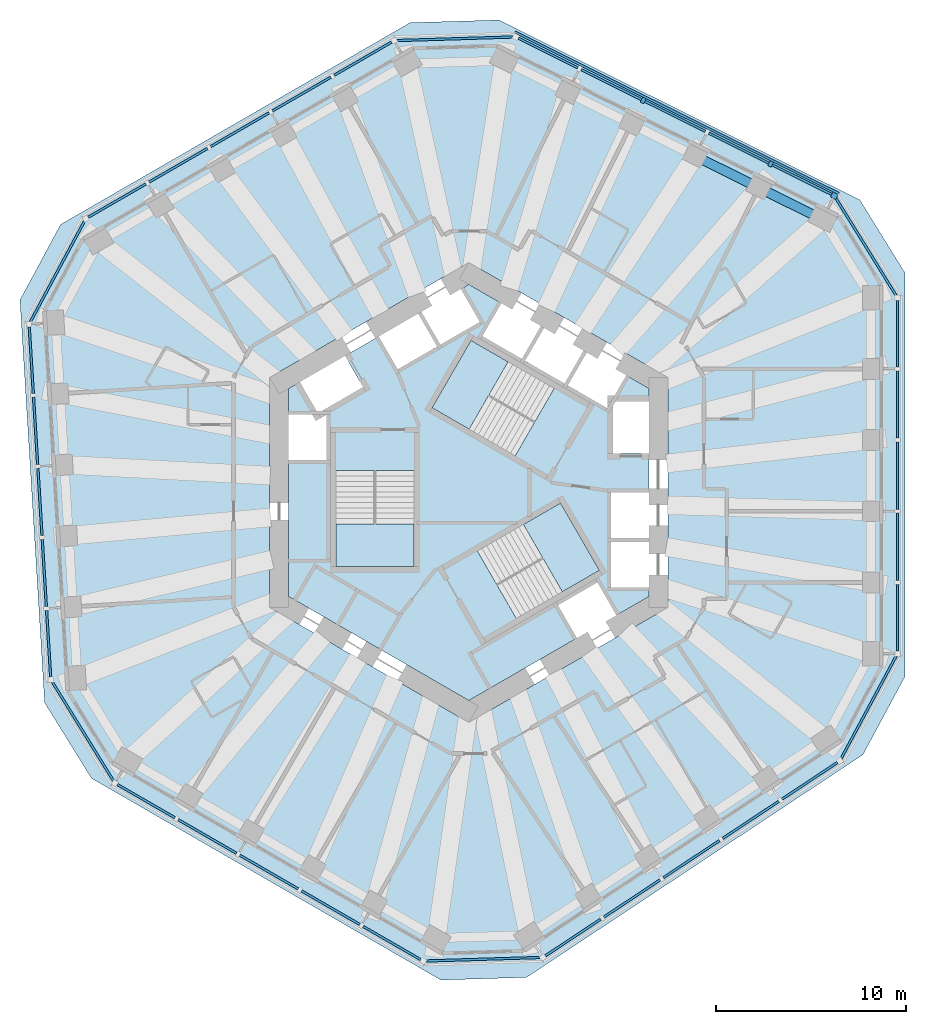
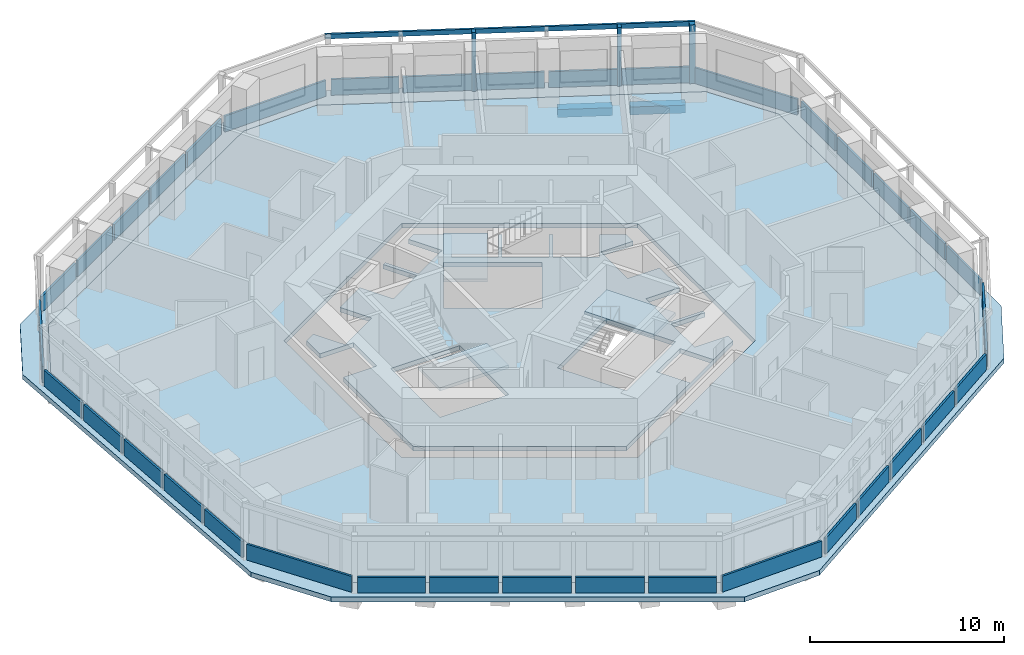
# One storey, part 3 of 12: 36 plates, 6 slabs, 4 members, 2 beams, 15 elements without a shape of their own.
"""IFC4 building model written with IfcOpenShell, lengths in metres."""

from ifc_helpers import new_model, si_unit, direction, frame, origin, origin_2d, place, context, subcontext, project, spatial, polyline, rectangle, outline, extrude, material, layer, layer_set, material_profile, profile_set, type_object, element, aggregate, save


model = new_model("IFC4")

# Units and contexts
model_context = context("Model", 3, precision=1e-05, world=origin(), true_north=direction((0.0, 1.0)))
body_context = subcontext(model_context, "Body", "Model", "MODEL_VIEW")
ifc_project = project(units=[si_unit("LENGTHUNIT", "METRE"), si_unit("AREAUNIT", "SQUARE_METRE"), si_unit("VOLUMEUNIT", "CUBIC_METRE"), si_unit("PLANEANGLEUNIT", "RADIAN"), si_unit("MASSUNIT", "GRAM", prefix="KILO")], contexts=[model_context])

# Site, building, storey
site_placement = place(None, origin())
site = spatial("IfcSite", under=ifc_project, at=site_placement, CompositionType="ELEMENT")
building_placement = place(site_placement, origin())
building = spatial("IfcBuilding", under=site, at=building_placement, Name="Vanh Sen Convention Tower", CompositionType="ELEMENT")
storey_placement = place(building_placement, frame((0.0, 0.0, 124.39990234375)))
storey = spatial("IfcBuildingStorey", under=building, at=storey_placement, Name="L30", CompositionType="ELEMENT", Elevation=124.39990234375)

# Curtain wall, members
ifc_material_1 = material(Name="Concrete C50/60", Category="concrete")
curtain_wall_type = type_object("IfcCurtainWallType", Name="Outer skin office zone", PredefinedType="NOTDEFINED", material=ifc_material_1)
curtain_wall_1_placement = place(storey_placement, origin())
curtain_wall_1 = element("IfcCurtainWall", 1, at=curtain_wall_1_placement, inside=storey, type_object=curtain_wall_type, Name="OUTER SKIN NE L30", PredefinedType="NOTDEFINED")
ifc_material_profile_1 = material_profile(ifc_material_1, rectangle(XDim=0.300048828125, YDim=0.300048828125, at=origin_2d()), Name="Outer skin precast corner fin 300 x 300")
ifc_profile_set_1 = profile_set([ifc_material_profile_1], Name="Concrete C50/60")
member_type_1 = type_object("IfcMemberType", Name="Outer skin precast corner fin 300 x 300", PredefinedType="MULLION", material=ifc_profile_set_1)
member_1_placement = place(storey_placement, frame((19.274658203125, 15.643310546875, 0.0), z_axis=(0.0, 0.0, 1.0), x_axis=(-0.894934361602, 0.44619781311, 0.0)))
member_1 = element("IfcMember", 2, at=member_1_placement, type_object=member_type_1, Name="OUTER SKIN CORNER FIN 1 NE L30", PredefinedType="MULLION", context=body_context, shape_type="SweptSolid", body=[
    extrude(rectangle(XDim=0.300048828125, YDim=0.300048828125, at=origin_2d()), origin(), (0.0, 0.0, 1.0), 3.7001953125),
])
ifc_material_profile_2 = material_profile(ifc_material_1, rectangle(XDim=0.199951171875, YDim=0.300048828125, at=origin_2d()), Name="Outer skin precast fin 200 x 300")
ifc_profile_set_2 = profile_set([ifc_material_profile_2], Name="Concrete C50/60")
member_type_2 = type_object("IfcMemberType", Name="Outer skin precast fin 200 x 300", PredefinedType="MULLION", material=ifc_profile_set_2)
member_2_placement = place(storey_placement, frame((15.9150390625, 17.318359375, 0.0), z_axis=(0.0, 0.0, 1.0), x_axis=(-0.894934361602, 0.44619781311, 0.0)))
member_2 = element("IfcMember", 3, at=member_2_placement, type_object=member_type_2, Name="OUTER SKIN fin 2 NE L30", PredefinedType="MULLION", context=body_context, shape_type="SweptSolid", body=[
    extrude(rectangle(XDim=0.199951171875, YDim=0.300048828125, at=origin_2d()), origin(), (0.0, 0.0, 1.0), 3.7001953125),
])
member_3_placement = place(storey_placement, frame((9.195556640625, 20.66845703125, 0.0), z_axis=(0.0, 0.0, 1.0), x_axis=(-0.894934361602, 0.44619781311, 0.0)))
member_3 = element("IfcMember", 4, at=member_3_placement, type_object=member_type_2, Name="OUTER SKIN fin 4 NE L30", PredefinedType="MULLION", context=body_context, shape_type="SweptSolid", body=[
    extrude(rectangle(XDim=0.199951171875, YDim=0.300048828125, at=origin_2d()), origin(), (0.0, 0.0, 1.0), 3.7001953125),
])
ifc_material_profile_3 = material_profile(ifc_material_1, rectangle(XDim=0.1201171875, YDim=0.300048828125, at=origin_2d()), Name="Outer skin precast spandrel band 300 x 120")
ifc_profile_set_3 = profile_set([ifc_material_profile_3], Name="Concrete C50/60")
member_type_3 = type_object("IfcMemberType", Name="Outer skin precast spandrel band 300 x 120", PredefinedType="USERDEFINED", material=ifc_profile_set_3)
member_4_placement = place(storey_placement, frame((19.502685546875, 15.764404296875, 3.550048828125), z_axis=(-0.894941234474, 0.446184027996, 0.0), x_axis=(-0.446184027996, -0.894941234474, 0.0)))
member_4 = element("IfcMember", 5, at=member_4_placement, type_object=member_type_3, Name="OUTER SKIN spandrel band NE L30", ObjectType="TRANSOM", PredefinedType="USERDEFINED", context=body_context, shape_type="SweptSolid", body=[
    extrude(rectangle(XDim=0.1201171875, YDim=0.300048828125, at=origin_2d()), origin(), (0.0, 0.0, 1.0), 19.07080078125),
])

# Beams
ifc_material_2 = material(Name="Concrete C50/60", Category="concrete")
ifc_material_profile_4 = material_profile(ifc_material_2, rectangle(XDim=0.5, YDim=0.5, at=origin_2d()), Name="RC 500X500")
ifc_profile_set_4 = profile_set([ifc_material_profile_4], Name="Concrete C50/60")
beam_type = type_object("IfcBeamType", Name="Spandrel beam 500 x 500", PredefinedType="SPANDREL", material=ifc_profile_set_4)
beam_1_placement = place(storey_placement, frame((18.26220703125, 14.583740234375, -0.52978515625), z_axis=(-0.894919342285, 0.44622793593, 0.0), x_axis=(-0.44622793593, -0.894919342285, 0.0)))
element("IfcBeam", 6, at=beam_1_placement, inside=storey, type_object=beam_type, Name="Spandrel beam 07 L30", PredefinedType="SPANDREL", context=body_context, shape_type="SweptSolid", body=[
    extrude(rectangle(XDim=0.5, YDim=0.5, at=origin_2d()), origin(), (0.0, 0.0, 1.0), 2.8740234375),
])
beam_2_placement = place(storey_placement, frame((14.890380859375, 16.2646484375, -0.52978515625), z_axis=(-0.894908453111, 0.446249773725, 0.0), x_axis=(-0.446249773725, -0.894908453111, 0.0)))
element("IfcBeam", 7, at=beam_2_placement, inside=storey, type_object=beam_type, Name="Spandrel beam 08 L30", PredefinedType="SPANDREL", context=body_context, shape_type="SweptSolid", body=[
    extrude(rectangle(XDim=0.5, YDim=0.5, at=origin_2d()), origin(), (0.0, 0.0, 1.0), 2.837890625),
])

# Slabs
ifc_material_3 = material(Name="Concrete C40/50", Category="concrete")
ifc_layer_1 = layer(ifc_material_3, 0.280029296875)
ifc_layer_set_1 = layer_set([ifc_layer_1], Name="Concrete C40/50")
slab_type_1 = type_object("IfcSlabType", Name="Core slab 280", PredefinedType="FLOOR", material=ifc_layer_set_1)
slab_1_placement = place(storey_placement, frame((0.0, 0.0, -0.27978515625)))
element("IfcSlab", 8, at=slab_1_placement, inside=storey, type_object=slab_type_1, Name="Core slab L30", PredefinedType="FLOOR", context=body_context, shape_type="SweptSolid", body=[
    extrude(outline(polyline([(9.5, 5.48486328125), (9.5, 4.800048828125), (7.60009765625, 4.800048828125), (7.60009765625, 2.050048828125), (9.5, 2.050048828125), (9.5, 0.0), (7.5, 0.0), (7.5, -2.39990234375), (9.5, -2.39990234375), (9.5, -2.60009765625), (7.5, -2.60009765625), (7.5, -5.0), (9.5, -5.0), (9.5, -5.48486328125), (0.0, -10.9697265625), (-9.5, -5.48486328125), (-9.5, 1.699951171875), (-7.5, 1.699951171875), (-7.5, 4.10009765625), (-9.5, 4.10009765625), (-9.5, 5.48486328125), (-8.906982421875, 5.8271484375), (-7.956787109375, 4.181884765625), (-5.575439453125, 5.556884765625), (-6.525390625, 7.2021484375), (-4.75, 8.227294921875), (-3.75, 6.4951171875), (-1.67138671875, 7.6953125), (-2.67138671875, 9.42724609375), (-2.498291015625, 9.527099609375), (-1.498291015625, 7.795166015625), (0.580078125, 8.9951171875), (-0.419921875, 10.727294921875), (0.0, 10.9697265625), (1.718994140625, 9.977294921875), (0.718994140625, 8.2451171875), (2.79736328125, 7.045166015625), (3.79736328125, 8.777099609375), (3.970703125, 8.67724609375), (2.970703125, 6.9453125), (5.049072265625, 5.7451171875), (6.049072265625, 7.477294921875), (6.22216796875, 7.377197265625), (5.22216796875, 5.645263671875), (7.30078125, 4.4453125), (8.30078125, 6.17724609375), (9.5, 5.48486328125)]), holes=[polyline([(-7.0, 3.14990234375), (-7.0, -3.909912109375), (-2.89990234375, -3.909912109375), (-2.89990234375, 3.14990234375), (-2.89990234375, 1.1494140625), (-7.0, 1.1494140625), (-7.0, 3.14990234375)]), polyline([(4.495361328125, 5.487548828125), (6.22802734375, 4.4873046875), (0.11376953125, 8.01708984375), (-1.936279296875, 4.466552734375), (2.4453125, 1.936767578125), (4.495361328125, 5.487548828125)]), polyline([(7.781005859375, -6.477294921875), (6.781005859375, -4.7451171875), (4.70263671875, -5.9453125), (5.70263671875, -7.67724609375), (7.781005859375, -6.477294921875)]), polyline([(0.45458984375, -3.086181640625), (2.504638671875, -6.63671875), (6.88623046875, -4.107177734375), (4.836181640625, -0.556396484375), (-1.278076171875, -4.08642578125), (0.45458984375, -3.086181640625)])]), origin(), (0.0, 0.0, 1.0), 0.27978515625),
])
ifc_layer_2 = layer(ifc_material_3, 0.280029296875)
ifc_layer_set_2 = layer_set([ifc_layer_2], Name="Concrete C40/50")
slab_type_2 = type_object("IfcSlabType", Name="Floor slab 280 REI 120", PredefinedType="FLOOR", material=ifc_layer_set_2)
slab_2_placement = place(storey_placement, frame((0.0, 0.0, -0.27978515625)))
element("IfcSlab", 9, at=slab_2_placement, inside=storey, type_object=slab_type_2, Name="Floor slab L30 tower", PredefinedType="FLOOR", context=body_context, shape_type="SweptSolid", body=[
    extrude(outline(polyline([(21.699951171875, -9.15087890625), (21.699951171875, 10.91943359375), (19.454833984375, 14.5478515625), (1.492919921875, 23.503173828125), (-2.925048828125, 23.368408203125), (-20.306640625, 13.3330078125), (-22.326171875, 9.574462890625), (-21.100830078125, -10.458740234375), (-18.77490234375, -14.21728515625), (-1.393310546875, -24.25244140625), (2.871337890625, -24.122314453125), (19.60791015625, -13.04443359375), (21.699951171875, -9.15087890625)]), holes=[polyline([(0.0, 12.12451171875), (-10.5, 6.062255859375), (-10.5, -6.062255859375), (0.0, -12.12451171875), (10.5, -6.062255859375), (10.5, 6.062255859375), (0.0, 12.12451171875)])]), origin(), (0.0, 0.0, 1.0), 0.27978515625),
])

# Curtain wall, plates
curtain_wall_2_placement = place(storey_placement, origin())
curtain_wall_2 = element("IfcCurtainWall", 10, at=curtain_wall_2_placement, inside=storey, type_object=curtain_wall_type, Name="OUTER SKIN E L30", PredefinedType="NOTDEFINED")
ifc_layer_3 = layer(ifc_material_1, 0.1201171875)
ifc_layer_set_3 = layer_set([ifc_layer_3], Name="Concrete C50/60")
plate_type = type_object("IfcPlateType", Name="Outer skin precast screen panel 120", PredefinedType="CURTAIN_PANEL", material=ifc_layer_set_3)
plate_1_placement = place(storey_placement, frame((22.60009765625, -6.59912109375, 0.0), z_axis=(0.0, 0.0, 1.0), x_axis=(0.0, 1.0, 0.0)))
plate_1 = element("IfcPlate", 11, at=plate_1_placement, type_object=plate_type, Name="OUTER SKIN screen panel E-1", PredefinedType="CURTAIN_PANEL", context=body_context, shape_type="SweptSolid", body=[
    extrude(rectangle(XDim=3.504150390625, YDim=0.1201171875, at=origin_2d()), origin(), (0.0, 0.0, 1.0), 1.0),
])
plate_2_placement = place(storey_placement, frame((22.60009765625, -2.869873046875, 0.0), z_axis=(0.0, 0.0, 1.0), x_axis=(0.0, 1.0, 0.0)))
plate_2 = element("IfcPlate", 12, at=plate_2_placement, type_object=plate_type, Name="OUTER SKIN screen panel E-2", PredefinedType="CURTAIN_PANEL", context=body_context, shape_type="SweptSolid", body=[
    extrude(rectangle(XDim=3.55419921875, YDim=0.1201171875, at=origin_2d()), origin(), (0.0, 0.0, 1.0), 1.0),
])
plate_3_placement = place(storey_placement, frame((22.60009765625, 0.88427734375, 0.0), z_axis=(0.0, 0.0, 1.0), x_axis=(0.0, 1.0, 0.0)))
plate_3 = element("IfcPlate", 13, at=plate_3_placement, type_object=plate_type, Name="OUTER SKIN screen panel E-3", PredefinedType="CURTAIN_PANEL", context=body_context, shape_type="SweptSolid", body=[
    extrude(rectangle(XDim=3.55419921875, YDim=0.1201171875, at=origin_2d()), origin(), (0.0, 0.0, 1.0), 1.0),
])
plate_4_placement = place(storey_placement, frame((22.60009765625, 4.63818359375, 0.0), z_axis=(0.0, 0.0, 1.0), x_axis=(0.0, 1.0, 0.0)))
plate_4 = element("IfcPlate", 14, at=plate_4_placement, type_object=plate_type, Name="OUTER SKIN screen panel E-4", PredefinedType="CURTAIN_PANEL", context=body_context, shape_type="SweptSolid", body=[
    extrude(rectangle(XDim=3.55419921875, YDim=0.1201171875, at=origin_2d()), origin(), (0.0, 0.0, 1.0), 1.0),
])
plate_5_placement = place(storey_placement, frame((22.60009765625, 8.367431640625, 0.0), z_axis=(0.0, 0.0, 1.0), x_axis=(0.0, 1.0, 0.0)))
plate_5 = element("IfcPlate", 15, at=plate_5_placement, type_object=plate_type, Name="OUTER SKIN screen panel E-5", PredefinedType="CURTAIN_PANEL", context=body_context, shape_type="SweptSolid", body=[
    extrude(rectangle(XDim=3.504150390625, YDim=0.1201171875, at=origin_2d()), origin(), (0.0, 0.0, 1.0), 1.0),
])
aggregate(curtain_wall_2, [plate_1, plate_2, plate_3, plate_4, plate_5])

# Curtain wall, plate
curtain_wall_3_placement = place(storey_placement, origin())
curtain_wall_3 = element("IfcCurtainWall", 16, at=curtain_wall_3_placement, inside=storey, type_object=curtain_wall_type, Name="OUTER SKIN CH1 L30", PredefinedType="NOTDEFINED")
plate_6_placement = place(storey_placement, frame((20.937255859375, 12.956298828125, 0.0), z_axis=(0.0, 0.0, 1.0), x_axis=(-0.5262035346, 0.850358653848, 0.0)))
plate_6 = element("IfcPlate", 17, at=plate_6_placement, type_object=plate_type, Name="OUTER SKIN screen panel CH1-1", PredefinedType="CURTAIN_PANEL", context=body_context, shape_type="SweptSolid", body=[
    extrude(rectangle(XDim=6.01953125, YDim=0.1201171875, at=origin_2d()), origin(), (0.0, 0.0, 1.0), 1.0),
])
aggregate(curtain_wall_3, [plate_6])

# Plate
plate_7_placement = place(storey_placement, frame((17.572509765625, 16.491943359375, 0.0), z_axis=(0.0, 0.0, 1.0), x_axis=(-0.894943706551, 0.446179069551, 0.0)))
plate_7 = element("IfcPlate", 18, at=plate_7_placement, type_object=plate_type, Name="OUTER SKIN screen panel NE-1", PredefinedType="CURTAIN_PANEL", context=body_context, shape_type="SweptSolid", body=[
    extrude(rectangle(XDim=3.504150390625, YDim=0.1201171875, at=origin_2d()), origin(), (0.0, 0.0, 1.0), 1.0),
])

plate_8_placement = place(storey_placement, frame((14.235107421875, 18.156005859375, 0.0), z_axis=(0.0, 0.0, 1.0), x_axis=(-0.894932804072, 0.446200937017, 0.0)))
plate_8 = element("IfcPlate", 19, at=plate_8_placement, type_object=plate_type, Name="OUTER SKIN screen panel NE-2", PredefinedType="CURTAIN_PANEL", context=body_context, shape_type="SweptSolid", body=[
    extrude(rectangle(XDim=3.55419921875, YDim=0.1201171875, at=origin_2d()), origin(), (0.0, 0.0, 1.0), 1.0),
])

plate_9_placement = place(storey_placement, frame((10.87548828125, 19.8310546875, 0.0), z_axis=(0.0, 0.0, 1.0), x_axis=(-0.894932804072, 0.446200937017, 0.0)))
plate_9 = element("IfcPlate", 20, at=plate_9_placement, type_object=plate_type, Name="OUTER SKIN screen panel NE-3", PredefinedType="CURTAIN_PANEL", context=body_context, shape_type="SweptSolid", body=[
    extrude(rectangle(XDim=3.55419921875, YDim=0.1201171875, at=origin_2d()), origin(), (0.0, 0.0, 1.0), 1.0),
])

plate_10_placement = place(storey_placement, frame((7.515625, 21.506103515625, 0.0), z_axis=(0.0, 0.0, 1.0), x_axis=(-0.894932804072, 0.446200937017, 0.0)))
plate_10 = element("IfcPlate", 21, at=plate_10_placement, type_object=plate_type, Name="OUTER SKIN screen panel NE-4", PredefinedType="CURTAIN_PANEL", context=body_context, shape_type="SweptSolid", body=[
    extrude(rectangle(XDim=3.55419921875, YDim=0.1201171875, at=origin_2d()), origin(), (0.0, 0.0, 1.0), 1.0),
])

plate_11_placement = place(storey_placement, frame((4.178466796875, 23.169921875, 0.0), z_axis=(0.0, 0.0, 1.0), x_axis=(-0.894943706551, 0.446179069551, 0.0)))
plate_11 = element("IfcPlate", 22, at=plate_11_placement, type_object=plate_type, Name="OUTER SKIN screen panel NE-5", PredefinedType="CURTAIN_PANEL", context=body_context, shape_type="SweptSolid", body=[
    extrude(rectangle(XDim=3.504150390625, YDim=0.1201171875, at=origin_2d()), origin(), (0.0, 0.0, 1.0), 1.0),
])

aggregate(curtain_wall_1, [member_1, member_2, member_3, member_4, plate_7, plate_8, plate_9, plate_10, plate_11])

# Curtain wall, plate
curtain_wall_4_placement = place(storey_placement, origin())
curtain_wall_4 = element("IfcCurtainWall", 23, at=curtain_wall_4_placement, inside=storey, type_object=curtain_wall_type, Name="OUTER SKIN CH2 L30", PredefinedType="NOTDEFINED")
plate_12_placement = place(storey_placement, frame((-0.73095703125, 23.920654296875, 0.0), z_axis=(0.0, 0.0, 1.0), x_axis=(-0.999533590837, -0.03053851321, 0.0)))
plate_12 = element("IfcPlate", 24, at=plate_12_placement, type_object=plate_type, Name="OUTER SKIN screen panel CH2-1", PredefinedType="CURTAIN_PANEL", context=body_context, shape_type="SweptSolid", body=[
    extrude(rectangle(XDim=6.1171875, YDim=0.1201171875, at=origin_2d()), origin(), (0.0, 0.0, 1.0), 1.0),
])
aggregate(curtain_wall_4, [plate_12])

# Curtain wall, plates
curtain_wall_5_placement = place(storey_placement, origin())
curtain_wall_5 = element("IfcCurtainWall", 25, at=curtain_wall_5_placement, inside=storey, type_object=curtain_wall_type, Name="OUTER SKIN NW L30", PredefinedType="NOTDEFINED")
plate_13_placement = place(storey_placement, frame((-5.585205078125, 22.87158203125, 0.0), z_axis=(0.0, 0.0, 1.0), x_axis=(-0.866035002936, -0.499983373414, 0.0)))
plate_13 = element("IfcPlate", 26, at=plate_13_placement, type_object=plate_type, Name="OUTER SKIN screen panel NW-1", PredefinedType="CURTAIN_PANEL", context=body_context, shape_type="SweptSolid", body=[
    extrude(rectangle(XDim=3.504150390625, YDim=0.1201171875, at=origin_2d()), origin(), (0.0, 0.0, 1.0), 1.0),
])
plate_14_placement = place(storey_placement, frame((-8.814697265625, 21.007080078125, 0.0), z_axis=(0.0, 0.0, 1.0), x_axis=(-0.866016677006, -0.500015114919, 0.0)))
plate_14 = element("IfcPlate", 27, at=plate_14_placement, type_object=plate_type, Name="OUTER SKIN screen panel NW-2", PredefinedType="CURTAIN_PANEL", context=body_context, shape_type="SweptSolid", body=[
    extrude(rectangle(XDim=3.55419921875, YDim=0.1201171875, at=origin_2d()), origin(), (0.0, 0.0, 1.0), 1.0),
])
plate_15_placement = place(storey_placement, frame((-12.06591796875, 19.1298828125, 0.0), z_axis=(0.0, 0.0, 1.0), x_axis=(-0.866035002936, -0.499983373414, 0.0)))
plate_15 = element("IfcPlate", 28, at=plate_15_placement, type_object=plate_type, Name="OUTER SKIN screen panel NW-3", PredefinedType="CURTAIN_PANEL", context=body_context, shape_type="SweptSolid", body=[
    extrude(rectangle(XDim=3.55419921875, YDim=0.1201171875, at=origin_2d()), origin(), (0.0, 0.0, 1.0), 1.0),
])
plate_16_placement = place(storey_placement, frame((-15.31689453125, 17.2529296875, 0.0), z_axis=(0.0, 0.0, 1.0), x_axis=(-0.866016677006, -0.500015114919, 0.0)))
plate_16 = element("IfcPlate", 29, at=plate_16_placement, type_object=plate_type, Name="OUTER SKIN screen panel NW-4", PredefinedType="CURTAIN_PANEL", context=body_context, shape_type="SweptSolid", body=[
    extrude(rectangle(XDim=3.55419921875, YDim=0.1201171875, at=origin_2d()), origin(), (0.0, 0.0, 1.0), 1.0),
])
plate_17_placement = place(storey_placement, frame((-18.54638671875, 15.388427734375, 0.0), z_axis=(0.0, 0.0, 1.0), x_axis=(-0.866035002936, -0.499983373414, 0.0)))
plate_17 = element("IfcPlate", 30, at=plate_17_placement, type_object=plate_type, Name="OUTER SKIN screen panel NW-5", PredefinedType="CURTAIN_PANEL", context=body_context, shape_type="SweptSolid", body=[
    extrude(rectangle(XDim=3.504150390625, YDim=0.1201171875, at=origin_2d()), origin(), (0.0, 0.0, 1.0), 1.0),
])
aggregate(curtain_wall_5, [plate_13, plate_14, plate_15, plate_16, plate_17])

# Curtain wall, plate
curtain_wall_6_placement = place(storey_placement, origin())
curtain_wall_6 = element("IfcCurtainWall", 31, at=curtain_wall_6_placement, inside=storey, type_object=curtain_wall_type, Name="OUTER SKIN CH3 L30", PredefinedType="NOTDEFINED")
plate_18_placement = place(storey_placement, frame((-21.689208984375, 11.654052734375, 0.0), z_axis=(0.0, 0.0, 1.0), x_axis=(-0.47331812974, -0.880891564303, 0.0)))
plate_18 = element("IfcPlate", 32, at=plate_18_placement, type_object=plate_type, Name="OUTER SKIN screen panel CH3-1", PredefinedType="CURTAIN_PANEL", context=body_context, shape_type="SweptSolid", body=[
    extrude(rectangle(XDim=6.019287109375, YDim=0.1201171875, at=origin_2d()), origin(), (0.0, 0.0, 1.0), 1.0),
])
aggregate(curtain_wall_6, [plate_18])

# Curtain wall, plates
curtain_wall_7_placement = place(storey_placement, origin())
curtain_wall_7 = element("IfcCurtainWall", 33, at=curtain_wall_7_placement, inside=storey, type_object=curtain_wall_type, Name="OUTER SKIN W L30", PredefinedType="NOTDEFINED")
plate_19_placement = place(storey_placement, frame((-23.068603515625, 6.97216796875, 0.0), z_axis=(0.0, 0.0, 1.0), x_axis=(0.061053765756, -0.998134478759, 0.0)))
plate_19 = element("IfcPlate", 34, at=plate_19_placement, type_object=plate_type, Name="OUTER SKIN screen panel W-1", PredefinedType="CURTAIN_PANEL", context=body_context, shape_type="SweptSolid", body=[
    extrude(rectangle(XDim=3.504150390625, YDim=0.1201171875, at=origin_2d()), origin(), (0.0, 0.0, 1.0), 1.0),
])
plate_20_placement = place(storey_placement, frame((-22.841064453125, 3.25, 0.0), z_axis=(0.0, 0.0, 1.0), x_axis=(0.061052023682, -0.998134585316, 0.0)))
plate_20 = element("IfcPlate", 35, at=plate_20_placement, type_object=plate_type, Name="OUTER SKIN screen panel W-2", PredefinedType="CURTAIN_PANEL", context=body_context, shape_type="SweptSolid", body=[
    extrude(rectangle(XDim=3.55419921875, YDim=0.1201171875, at=origin_2d()), origin(), (0.0, 0.0, 1.0), 1.0),
])
plate_21_placement = place(storey_placement, frame((-22.61181640625, -0.4970703125, 0.0), z_axis=(0.0, 0.0, 1.0), x_axis=(0.061053765756, -0.998134478759, 0.0)))
plate_21 = element("IfcPlate", 36, at=plate_21_placement, type_object=plate_type, Name="OUTER SKIN screen panel W-3", PredefinedType="CURTAIN_PANEL", context=body_context, shape_type="SweptSolid", body=[
    extrude(rectangle(XDim=3.55419921875, YDim=0.1201171875, at=origin_2d()), origin(), (0.0, 0.0, 1.0), 1.0),
])
plate_22_placement = place(storey_placement, frame((-22.382568359375, -4.244140625, 0.0), z_axis=(0.0, 0.0, 1.0), x_axis=(0.061025892559, -0.998136183312, 0.0)))
plate_22 = element("IfcPlate", 37, at=plate_22_placement, type_object=plate_type, Name="OUTER SKIN screen panel W-4", PredefinedType="CURTAIN_PANEL", context=body_context, shape_type="SweptSolid", body=[
    extrude(rectangle(XDim=3.55419921875, YDim=0.1201171875, at=origin_2d()), origin(), (0.0, 0.0, 1.0), 1.0),
])
plate_23_placement = place(storey_placement, frame((-22.155029296875, -7.96630859375, 0.0), z_axis=(0.0, 0.0, 1.0), x_axis=(0.061053765756, -0.998134478759, 0.0)))
plate_23 = element("IfcPlate", 38, at=plate_23_placement, type_object=plate_type, Name="OUTER SKIN screen panel W-5", PredefinedType="CURTAIN_PANEL", context=body_context, shape_type="SweptSolid", body=[
    extrude(rectangle(XDim=3.504150390625, YDim=0.1201171875, at=origin_2d()), origin(), (0.0, 0.0, 1.0), 1.0),
])
aggregate(curtain_wall_7, [plate_19, plate_20, plate_21, plate_22, plate_23])

# Curtain wall, plate
curtain_wall_8_placement = place(storey_placement, origin())
curtain_wall_8 = element("IfcCurtainWall", 39, at=curtain_wall_8_placement, inside=storey, type_object=curtain_wall_type, Name="OUTER SKIN CH4 L30", PredefinedType="NOTDEFINED")
plate_24_placement = place(storey_placement, frame((-20.3505859375, -12.59326171875, 0.0), z_axis=(0.0, 0.0, 1.0), x_axis=(0.526218376078, -0.850349469734, 0.0)))
plate_24 = element("IfcPlate", 40, at=plate_24_placement, type_object=plate_type, Name="OUTER SKIN screen panel CH4-1", PredefinedType="CURTAIN_PANEL", context=body_context, shape_type="SweptSolid", body=[
    extrude(rectangle(XDim=6.1171875, YDim=0.1201171875, at=origin_2d()), origin(), (0.0, 0.0, 1.0), 1.0),
])
aggregate(curtain_wall_8, [plate_24])

# Curtain wall, plates
curtain_wall_9_placement = place(storey_placement, origin())
curtain_wall_9 = element("IfcCurtainWall", 41, at=curtain_wall_9_placement, inside=storey, type_object=curtain_wall_type, Name="OUTER SKIN SW L30", PredefinedType="NOTDEFINED")
plate_25_placement = place(storey_placement, frame((-17.014892578125, -16.272705078125, 0.0), z_axis=(0.0, 0.0, 1.0), x_axis=(0.86602365845, -0.500003022996, 0.0)))
plate_25 = element("IfcPlate", 42, at=plate_25_placement, type_object=plate_type, Name="OUTER SKIN screen panel SW-1", PredefinedType="CURTAIN_PANEL", context=body_context, shape_type="SweptSolid", body=[
    extrude(rectangle(XDim=3.504150390625, YDim=0.1201171875, at=origin_2d()), origin(), (0.0, 0.0, 1.0), 1.0),
])
plate_26_placement = place(storey_placement, frame((-13.785400390625, -18.13720703125, 0.0), z_axis=(0.0, 0.0, 1.0), x_axis=(0.866028021766, -0.499995465495, 0.0)))
plate_26 = element("IfcPlate", 43, at=plate_26_placement, type_object=plate_type, Name="OUTER SKIN screen panel SW-2", PredefinedType="CURTAIN_PANEL", context=body_context, shape_type="SweptSolid", body=[
    extrude(rectangle(XDim=3.553955078125, YDim=0.1201171875, at=origin_2d()), origin(), (0.0, 0.0, 1.0), 1.0),
])
plate_27_placement = place(storey_placement, frame((-10.5341796875, -20.014404296875, 0.0), z_axis=(0.0, 0.0, 1.0), x_axis=(0.86602365845, -0.500003022996, 0.0)))
plate_27 = element("IfcPlate", 44, at=plate_27_placement, type_object=plate_type, Name="OUTER SKIN screen panel SW-3", PredefinedType="CURTAIN_PANEL", context=body_context, shape_type="SweptSolid", body=[
    extrude(rectangle(XDim=3.55419921875, YDim=0.1201171875, at=origin_2d()), origin(), (0.0, 0.0, 1.0), 1.0),
])
plate_28_placement = place(storey_placement, frame((-7.283203125, -21.891357421875, 0.0), z_axis=(0.0, 0.0, 1.0), x_axis=(0.866016677006, -0.500015114919, 0.0)))
plate_28 = element("IfcPlate", 45, at=plate_28_placement, type_object=plate_type, Name="OUTER SKIN screen panel SW-4", PredefinedType="CURTAIN_PANEL", context=body_context, shape_type="SweptSolid", body=[
    extrude(rectangle(XDim=3.55419921875, YDim=0.1201171875, at=origin_2d()), origin(), (0.0, 0.0, 1.0), 1.0),
])
plate_29_placement = place(storey_placement, frame((-4.0537109375, -23.755859375, 0.0), z_axis=(0.0, 0.0, 1.0), x_axis=(0.866035002936, -0.499983373414, 0.0)))
plate_29 = element("IfcPlate", 46, at=plate_29_placement, type_object=plate_type, Name="OUTER SKIN screen panel SW-5", PredefinedType="CURTAIN_PANEL", context=body_context, shape_type="SweptSolid", body=[
    extrude(rectangle(XDim=3.504150390625, YDim=0.1201171875, at=origin_2d()), origin(), (0.0, 0.0, 1.0), 1.0),
])
aggregate(curtain_wall_9, [plate_25, plate_26, plate_27, plate_28, plate_29])

# Curtain wall, plate
curtain_wall_10_placement = place(storey_placement, origin())
curtain_wall_10 = element("IfcCurtainWall", 47, at=curtain_wall_10_placement, inside=storey, type_object=curtain_wall_type, Name="OUTER SKIN CH5 L30", PredefinedType="NOTDEFINED")
plate_30_placement = place(storey_placement, frame((0.751953125, -24.6103515625, 0.0), z_axis=(0.0, 0.0, 1.0), x_axis=(0.999533537535, 0.030540257725, 0.0)))
plate_30 = element("IfcPlate", 48, at=plate_30_placement, type_object=plate_type, Name="OUTER SKIN screen panel CH5-1", PredefinedType="CURTAIN_PANEL", context=body_context, shape_type="SweptSolid", body=[
    extrude(rectangle(XDim=6.019287109375, YDim=0.1201171875, at=origin_2d()), origin(), (0.0, 0.0, 1.0), 1.0),
])
aggregate(curtain_wall_10, [plate_30])

# Curtain wall, plates
curtain_wall_11_placement = place(storey_placement, origin())
curtain_wall_11 = element("IfcCurtainWall", 49, at=curtain_wall_11_placement, inside=storey, type_object=curtain_wall_type, Name="OUTER SKIN SE L30", PredefinedType="NOTDEFINED")
plate_31_placement = place(storey_placement, frame((5.49609375, -23.464111328125, 0.0), z_axis=(0.0, 0.0, 1.0), x_axis=(0.833889675294, 0.551931163677, 0.0)))
plate_31 = element("IfcPlate", 50, at=plate_31_placement, type_object=plate_type, Name="OUTER SKIN screen panel SE-1", PredefinedType="CURTAIN_PANEL", context=body_context, shape_type="SweptSolid", body=[
    extrude(rectangle(XDim=3.504150390625, YDim=0.1201171875, at=origin_2d()), origin(), (0.0, 0.0, 1.0), 1.0),
])
plate_32_placement = place(storey_placement, frame((8.60595703125, -21.406005859375, 0.0), z_axis=(0.0, 0.0, 1.0), x_axis=(0.833889675294, 0.551931163677, 0.0)))
plate_32 = element("IfcPlate", 51, at=plate_32_placement, type_object=plate_type, Name="OUTER SKIN screen panel SE-2", PredefinedType="CURTAIN_PANEL", context=body_context, shape_type="SweptSolid", body=[
    extrude(rectangle(XDim=3.55419921875, YDim=0.1201171875, at=origin_2d()), origin(), (0.0, 0.0, 1.0), 1.0),
])
plate_33_placement = place(storey_placement, frame((11.736328125, -19.333984375, 0.0), z_axis=(0.0, 0.0, 1.0), x_axis=(0.833877152158, 0.551950083892, 0.0)))
plate_33 = element("IfcPlate", 52, at=plate_33_placement, type_object=plate_type, Name="OUTER SKIN screen panel SE-3", PredefinedType="CURTAIN_PANEL", context=body_context, shape_type="SweptSolid", body=[
    extrude(rectangle(XDim=3.55419921875, YDim=0.1201171875, at=origin_2d()), origin(), (0.0, 0.0, 1.0), 1.0),
])
plate_34_placement = place(storey_placement, frame((14.866943359375, -17.26171875, 0.0), z_axis=(0.0, 0.0, 1.0), x_axis=(0.833889675294, 0.551931163677, 0.0)))
plate_34 = element("IfcPlate", 53, at=plate_34_placement, type_object=plate_type, Name="OUTER SKIN screen panel SE-4", PredefinedType="CURTAIN_PANEL", context=body_context, shape_type="SweptSolid", body=[
    extrude(rectangle(XDim=3.55419921875, YDim=0.1201171875, at=origin_2d()), origin(), (0.0, 0.0, 1.0), 1.0),
])
plate_35_placement = place(storey_placement, frame((17.9765625, -15.20361328125, 0.0), z_axis=(0.0, 0.0, 1.0), x_axis=(0.833889675294, 0.551931163677, 0.0)))
plate_35 = element("IfcPlate", 54, at=plate_35_placement, type_object=plate_type, Name="OUTER SKIN screen panel SE-5", PredefinedType="CURTAIN_PANEL", context=body_context, shape_type="SweptSolid", body=[
    extrude(rectangle(XDim=3.504150390625, YDim=0.1201171875, at=origin_2d()), origin(), (0.0, 0.0, 1.0), 1.0),
])
aggregate(curtain_wall_11, [plate_31, plate_32, plate_33, plate_34, plate_35])

# Curtain wall, plate
curtain_wall_12_placement = place(storey_placement, origin())
curtain_wall_12 = element("IfcCurtainWall", 55, at=curtain_wall_12_placement, inside=storey, type_object=curtain_wall_type, Name="OUTER SKIN CH6 L30", PredefinedType="NOTDEFINED")
plate_36_placement = place(storey_placement, frame((21.081298828125, -11.327392578125, 0.0), z_axis=(0.0, 0.0, 1.0), x_axis=(0.473321204628, 0.880889912105, 0.0)))
plate_36 = element("IfcPlate", 56, at=plate_36_placement, type_object=plate_type, Name="OUTER SKIN screen panel CH6-1", PredefinedType="CURTAIN_PANEL", context=body_context, shape_type="SweptSolid", body=[
    extrude(rectangle(XDim=6.1171875, YDim=0.1201171875, at=origin_2d()), origin(), (0.0, 0.0, 1.0), 1.0),
])
aggregate(curtain_wall_12, [plate_36])

# Slab
ifc_layer_4 = layer(ifc_material_3, 0.300048828125)
ifc_layer_set_4 = layer_set([ifc_layer_4], Name="Concrete C40/50")
slab_type_3 = type_object("IfcSlabType", Name="Roof ledge slab 300 REI 120", PredefinedType="ROOF", material=ifc_layer_set_4)
slab_3_placement = place(storey_placement, frame((0.0, 0.0, -0.2998046875)))
element("IfcSlab", 57, at=slab_3_placement, inside=storey, type_object=slab_type_3, Name="Setback roof ledge L30", PredefinedType="ROOF", context=body_context, shape_type="SweptSolid", body=[
    extrude(outline(polyline([(23.0, -9.69921875), (23.0, 11.57373046875), (20.620361328125, 15.419189453125), (1.58251953125, 24.911376953125), (-3.10009765625, 24.768310546875), (-21.523193359375, 14.131591796875), (-23.663818359375, 10.14794921875), (-22.364990234375, -11.085205078125), (-19.89990234375, -15.069091796875), (-1.476806640625, -25.705322265625), (3.04345703125, -25.5673828125), (20.78271484375, -13.825927734375), (23.0, -9.69921875)]), holes=[polyline([(21.699951171875, 10.91943359375), (19.454833984375, 14.5478515625), (1.492919921875, 23.503173828125), (-2.925048828125, 23.368408203125), (-20.306640625, 13.3330078125), (-22.326171875, 9.574462890625), (-21.100830078125, -10.458740234375), (-18.77490234375, -14.21728515625), (-1.393310546875, -24.25244140625), (2.871337890625, -24.122314453125), (19.60791015625, -13.04443359375), (21.699951171875, -9.15087890625), (21.699951171875, 10.91943359375)])]), origin(), (0.0, 0.0, 1.0), 0.2998046875),
])

# Stair, slab
ifc_material_4 = material(Name="Concrete C50/60", Category="concrete")
stair_type_1 = type_object("IfcStairType", Name="Exit stair ST1 22 risers at 168.2", PredefinedType="HALF_TURN_STAIR", material=ifc_material_4)
stair_1_placement = place(storey_placement, origin())
stair_1 = element("IfcStair", 58, at=stair_1_placement, inside=storey, type_object=stair_type_1, Name="Exit stair ST1 L30", PredefinedType="HALF_TURN_STAIR")
ifc_layer_5 = layer(ifc_material_3, 0.199951171875)
ifc_layer_set_5 = layer_set([ifc_layer_5], Name="Concrete C40/50")
slab_type_4 = type_object("IfcSlabType", Name="Stair landing 200", PredefinedType="LANDING", material=ifc_layer_set_5)
slab_4_placement = place(storey_placement, frame((0.0, 0.0, 1.650146484375)))
slab_4 = element("IfcSlab", 59, at=slab_4_placement, type_object=slab_type_4, Name="ST1 landing 1", PredefinedType="LANDING", context=body_context, shape_type="SweptSolid", body=[
    extrude(outline(polyline([(2.07177734375, 6.88671875), (0.11376953125, 8.01708984375), (-1.936279296875, 4.466552734375), (0.021728515625, 3.336181640625), (2.07177734375, 6.88671875)])), origin(), (0.0, 0.0, 1.0), 0.199951171875),
])
aggregate(stair_1, [slab_4])

stair_type_2 = type_object("IfcStairType", Name="Exit stair ST2 22 risers at 168.2", PredefinedType="HALF_TURN_STAIR", material=ifc_material_4)
stair_2_placement = place(storey_placement, origin())
stair_2 = element("IfcStair", 60, at=stair_2_placement, inside=storey, type_object=stair_type_2, Name="Exit stair ST2 L30", PredefinedType="HALF_TURN_STAIR")
slab_5_placement = place(storey_placement, frame((0.0, 0.0, 1.650146484375)))
slab_5 = element("IfcSlab", 61, at=slab_5_placement, type_object=slab_type_4, Name="ST2 landing 1", PredefinedType="LANDING", context=body_context, shape_type="SweptSolid", body=[
    extrude(outline(polyline([(-7.0, -1.6494140625), (-7.0, -3.909912109375), (-2.89990234375, -3.909912109375), (-2.89990234375, -1.6494140625), (-7.0, -1.6494140625)])), origin(), (0.0, 0.0, 1.0), 0.199951171875),
])
aggregate(stair_2, [slab_5])

stair_type_3 = type_object("IfcStairType", Name="Exit stair ST3 22 risers at 168.2", PredefinedType="HALF_TURN_STAIR", material=ifc_material_4)
stair_3_placement = place(storey_placement, origin())
stair_3 = element("IfcStair", 62, at=stair_3_placement, inside=storey, type_object=stair_type_3, Name="Exit stair ST3 L30", PredefinedType="HALF_TURN_STAIR")
slab_6_placement = place(storey_placement, frame((0.0, 0.0, 1.650146484375)))
slab_6 = element("IfcSlab", 63, at=slab_6_placement, type_object=slab_type_4, Name="ST3 landing 1", PredefinedType="LANDING", context=body_context, shape_type="SweptSolid", body=[
    extrude(outline(polyline([(4.92822265625, -5.237548828125), (6.88623046875, -4.107177734375), (4.836181640625, -0.556396484375), (2.87841796875, -1.686767578125), (4.92822265625, -5.237548828125)])), origin(), (0.0, 0.0, 1.0), 0.199951171875),
])
aggregate(stair_3, [slab_6])

save(model, "model.ifc")
